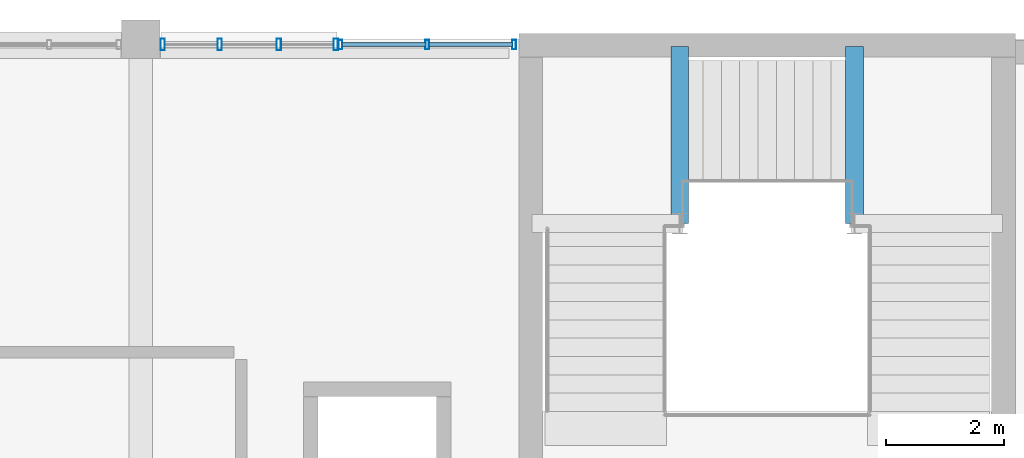
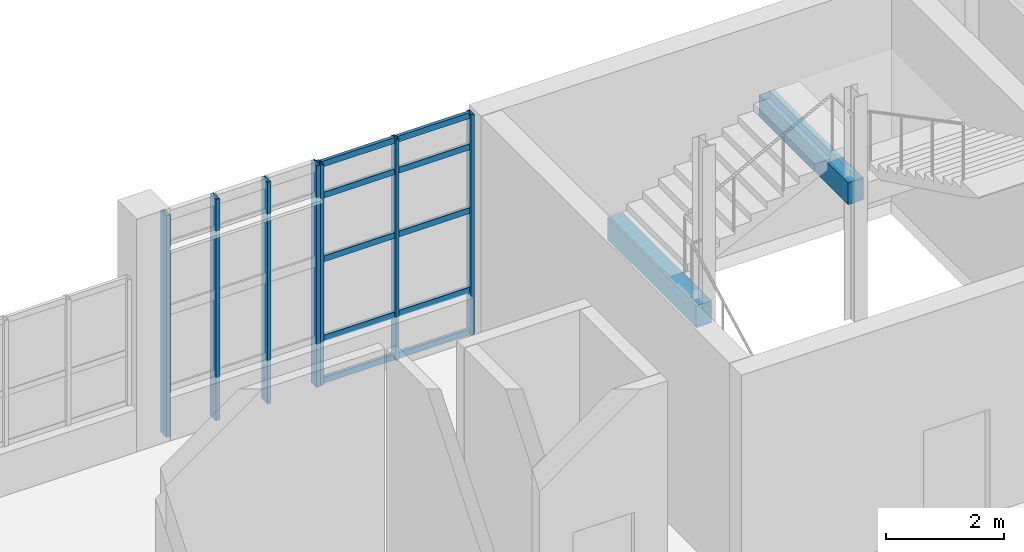
# One storey, part 50 of 102: 17 members, 2 beams, 2 elements without a shape of their own.
"""IFC4 building model written with IfcOpenShell, lengths in metres."""

from ifc_helpers import new_model, si_unit, derived_unit, direction, frame, origin, origin_2d, place, context, subcontext, project, spatial, rectangle, hollow_rectangle, extrude, material, layer, layer_set, material_profile, profile_set, type_object, element, aggregate, save


model = new_model("IFC4")

# Units and contexts
model_context = context("Model", 3, precision=1e-05, world=origin(), true_north=direction((0.0, 1.0)))
body_context = subcontext(model_context, "Body", "Model", "MODEL_VIEW")
ifc_project = project(units=[si_unit("LENGTHUNIT", "METRE"), si_unit("AREAUNIT", "SQUARE_METRE"), si_unit("VOLUMEUNIT", "CUBIC_METRE"), si_unit("PLANEANGLEUNIT", "RADIAN"), si_unit("MASSUNIT", "GRAM", prefix="KILO"), derived_unit("THERMALTRANSMITTANCEUNIT", [(si_unit("POWERUNIT", "WATT"), 1), (si_unit("LENGTHUNIT", "METRE"), -2), (si_unit("THERMODYNAMICTEMPERATUREUNIT", "KELVIN"), -1)])], contexts=[model_context])

# Site, building, storey
site_placement = place(None, origin())
site = spatial("IfcSite", under=ifc_project, at=site_placement, CompositionType="ELEMENT")
building_placement = place(site_placement, origin())
building = spatial("IfcBuilding", under=site, at=building_placement, Name="Nallur Shell Playhouse", CompositionType="ELEMENT")
storey_placement = place(building_placement, frame((0.0, 0.0, 15.0)))
storey = spatial("IfcBuildingStorey", under=building, at=storey_placement, Name="L04", CompositionType="ELEMENT", Elevation=15.0)

# Beams
ifc_material_1 = material(Name="Concrete M35", Category="concrete")
ifc_material_profile_1 = material_profile(ifc_material_1, rectangle(XDim=0.300048828125, YDim=0.449951171875, at=origin_2d()), Name="RC 300x450")
ifc_profile_set_1 = profile_set([ifc_material_profile_1], Name="Concrete M35")
beam_type = type_object("IfcBeamType", Name="BM-SPN-300x450", PredefinedType="SPANDREL", material=ifc_profile_set_1)
for number, where, z_axis, x_axis, name in (
    (1, (57.1201171875, 79.8798828125, 1.22509765625), (0.0, 1.0, 0.0), (-1.0, 0.0, 0.0), "Stair ST-03-L04 L1 east bearer beam"),
    (2, (60.080078125, 79.8798828125, 2.72509765625), (0.0, 1.0, 0.0), (-1.0, 0.0, 0.0), "Stair ST-03-L04 L2 west bearer beam"),
):
    element("IfcBeam", number, at=place(storey_placement, frame(where, z_axis=z_axis, x_axis=x_axis)), inside=storey, type_object=beam_type, Name=name, PredefinedType="SPANDREL", context=body_context, shape_type="SweptSolid", body=[
        extrude(rectangle(XDim=0.300048828125, YDim=0.449951171875, at=origin_2d()), origin(), (0.0, 0.0, 1.0), 3.0),
    ])

# Curtain wall, members
ifc_material_2 = material(Name="Anodised Aluminium Double-Glazed Facade System", Category="aluminium")
ifc_layer_1 = layer(ifc_material_2, 0.1640625)
ifc_layer_set_1 = layer_set([ifc_layer_1], Name="Anodised Aluminium Double-Glazed Facade System")
curtain_wall_type_1 = type_object("IfcCurtainWallType", Name="CW-UNIT-13", PredefinedType="NOTDEFINED", material=ifc_layer_set_1)
curtain_wall_1_placement = place(storey_placement, origin())
curtain_wall_1 = element("IfcCurtainWall", 3, at=curtain_wall_1_placement, inside=storey, type_object=curtain_wall_type_1, Name="Unitised curtain wall CW-109 (L04)", PredefinedType="NOTDEFINED")
ifc_material_3 = material(Name="Aluminium Alloy 6063-T6 Mullion", Category="aluminium")
ifc_material_profile_2 = material_profile(ifc_material_3, hollow_rectangle(XDim=0.06494140625, YDim=0.159912109375, WallThickness=0.00390625, at=origin_2d()), Name="ALU 65x160x4")
ifc_profile_set_2 = profile_set([ifc_material_profile_2], Name="Aluminium Alloy 6063-T6 Mullion")
member_type_1 = type_object("IfcMemberType", Name="MB-CW-MUL160", PredefinedType="MULLION", material=ifc_profile_set_2)
member_1_placement = place(storey_placement, frame((51.37890625, 82.909912109375, -0.014892578125), z_axis=(0.0, 0.0, 1.0), x_axis=(1.0, 0.0, 0.0)))
member_1 = element("IfcMember", 4, at=member_1_placement, type_object=member_type_1, Name="CW-13 mullion 1", PredefinedType="MULLION", context=body_context, shape_type="SweptSolid", body=[
    extrude(hollow_rectangle(XDim=0.06494140625, YDim=0.159912109375, WallThickness=0.00390625, at=origin_2d()), origin(), (0.0, 0.0, 1.0), 4.548828125),
])
member_2_placement = place(storey_placement, frame((52.84814453125, 82.909912109375, -0.014892578125), z_axis=(0.0, 0.0, 1.0), x_axis=(1.0, 0.0, 0.0)))
member_2 = element("IfcMember", 5, at=member_2_placement, type_object=member_type_1, Name="CW-13 mullion 2", PredefinedType="MULLION", context=body_context, shape_type="SweptSolid", body=[
    extrude(hollow_rectangle(XDim=0.06494140625, YDim=0.159912109375, WallThickness=0.00390625, at=origin_2d()), origin(), (0.0, 0.0, 1.0), 4.548828125),
])
member_3_placement = place(storey_placement, frame((54.3173828125, 82.909912109375, -0.014892578125), z_axis=(0.0, 0.0, 1.0), x_axis=(1.0, 0.0, 0.0)))
member_3 = element("IfcMember", 6, at=member_3_placement, type_object=member_type_1, Name="CW-13 mullion 3", PredefinedType="MULLION", context=body_context, shape_type="SweptSolid", body=[
    extrude(hollow_rectangle(XDim=0.06494140625, YDim=0.159912109375, WallThickness=0.00390625, at=origin_2d()), origin(), (0.0, 0.0, 1.0), 4.548828125),
])

ifc_layer_2 = layer(ifc_material_2, 0.159912109375)
ifc_layer_set_2 = layer_set([ifc_layer_2], Name="Anodised Aluminium Double-Glazed Facade System")
curtain_wall_type_2 = type_object("IfcCurtainWallType", Name="CW-UNIT-12", PredefinedType="NOTDEFINED", material=ifc_layer_set_2)
curtain_wall_2_placement = place(storey_placement, origin())
curtain_wall_2 = element("IfcCurtainWall", 7, at=curtain_wall_2_placement, inside=storey, type_object=curtain_wall_type_2, Name="Unitised curtain wall CW-108 (L04)", PredefinedType="NOTDEFINED")
ifc_material_profile_3 = material_profile(ifc_material_3, hollow_rectangle(XDim=0.074951171875, YDim=0.199951171875, WallThickness=0.0048828125, at=origin_2d()), Name="ALU 75x200x5")
ifc_profile_set_3 = profile_set([ifc_material_profile_3], Name="Aluminium Alloy 6063-T6 Mullion")
member_type_2 = type_object("IfcMemberType", Name="MB-CW-MUL180", PredefinedType="MULLION", material=ifc_profile_set_3)
member_4_placement = place(storey_placement, frame((48.37060546875, 82.909912109375, -0.014892578125), z_axis=(0.0, 0.0, 1.0), x_axis=(1.0, 0.0, 0.0)))
member_4 = element("IfcMember", 8, at=member_4_placement, type_object=member_type_2, Name="CW-12 mullion 1", PredefinedType="MULLION", context=body_context, shape_type="SweptSolid", body=[
    extrude(hollow_rectangle(XDim=0.074951171875, YDim=0.199951171875, WallThickness=0.0048828125, at=origin_2d()), origin(), (0.0, 0.0, 1.0), 4.56884765625),
])
member_5_placement = place(storey_placement, frame((49.334228515625, 82.909912109375, -0.014892578125), z_axis=(0.0, 0.0, 1.0), x_axis=(1.0, 0.0, 0.0)))
member_5 = element("IfcMember", 9, at=member_5_placement, type_object=member_type_2, Name="CW-12 mullion 2", PredefinedType="MULLION", context=body_context, shape_type="SweptSolid", body=[
    extrude(hollow_rectangle(XDim=0.074951171875, YDim=0.199951171875, WallThickness=0.0048828125, at=origin_2d()), origin(), (0.0, 0.0, 1.0), 4.56884765625),
])
member_6_placement = place(storey_placement, frame((50.33544921875, 82.909912109375, -0.014892578125), z_axis=(0.0, 0.0, 1.0), x_axis=(1.0, 0.0, 0.0)))
member_6 = element("IfcMember", 10, at=member_6_placement, type_object=member_type_2, Name="CW-12 mullion 3", PredefinedType="MULLION", context=body_context, shape_type="SweptSolid", body=[
    extrude(hollow_rectangle(XDim=0.074951171875, YDim=0.199951171875, WallThickness=0.0048828125, at=origin_2d()), origin(), (0.0, 0.0, 1.0), 4.56884765625),
])
member_7_placement = place(storey_placement, frame((51.299072265625, 82.909912109375, -0.014892578125), z_axis=(0.0, 0.0, 1.0), x_axis=(1.0, 0.0, 0.0)))
member_7 = element("IfcMember", 11, at=member_7_placement, type_object=member_type_2, Name="CW-12 mullion 4", PredefinedType="MULLION", context=body_context, shape_type="SweptSolid", body=[
    extrude(hollow_rectangle(XDim=0.074951171875, YDim=0.199951171875, WallThickness=0.0048828125, at=origin_2d()), origin(), (0.0, 0.0, 1.0), 4.56884765625),
])
aggregate(curtain_wall_2, [member_4, member_5, member_6, member_7])

# Member
ifc_material_4 = material(Name="Aluminium Alloy 6063-T6 Transom", Category="aluminium")
ifc_material_profile_4 = material_profile(ifc_material_4, hollow_rectangle(XDim=0.06494140625, YDim=0.1201171875, WallThickness=0.00390625, at=origin_2d()), Name="ALU 65x120x4")
ifc_profile_set_4 = profile_set([ifc_material_profile_4], Name="Aluminium Alloy 6063-T6 Transom")
member_type_3 = type_object("IfcMemberType", Name="MB-CW-TRN120", PredefinedType="USERDEFINED", material=ifc_profile_set_4)
member_8_placement = place(storey_placement, frame((51.403564453125, 82.909912109375, 0.032470703125), z_axis=(1.0, 0.0, 0.0), x_axis=(0.0, 1.0, 0.0)))
member_8 = element("IfcMember", 12, at=member_8_placement, type_object=member_type_3, Name="CW-13 transom 1.1", ObjectType="TRANSOM", PredefinedType="USERDEFINED", context=body_context, shape_type="SweptSolid", body=[
    extrude(hollow_rectangle(XDim=0.06494140625, YDim=0.1201171875, WallThickness=0.00390625, at=origin_2d()), origin(), (0.0, 0.0, 1.0), 1.420166015625),
])

member_9_placement = place(storey_placement, frame((51.403564453125, 82.909912109375, 0.89990234375), z_axis=(1.0, 0.0, 0.0), x_axis=(0.0, 1.0, 0.0)))
member_9 = element("IfcMember", 13, at=member_9_placement, type_object=member_type_3, Name="CW-13 transom 1.2", ObjectType="TRANSOM", PredefinedType="USERDEFINED", context=body_context, shape_type="SweptSolid", body=[
    extrude(hollow_rectangle(XDim=0.06494140625, YDim=0.1201171875, WallThickness=0.00390625, at=origin_2d()), origin(), (0.0, 0.0, 1.0), 1.420166015625),
])

member_10_placement = place(storey_placement, frame((51.403564453125, 82.909912109375, 2.537109375), z_axis=(1.0, 0.0, 0.0), x_axis=(0.0, 1.0, 0.0)))
member_10 = element("IfcMember", 14, at=member_10_placement, type_object=member_type_3, Name="CW-13 transom 1.3", ObjectType="TRANSOM", PredefinedType="USERDEFINED", context=body_context, shape_type="SweptSolid", body=[
    extrude(hollow_rectangle(XDim=0.06494140625, YDim=0.1201171875, WallThickness=0.00390625, at=origin_2d()), origin(), (0.0, 0.0, 1.0), 1.420166015625),
])

member_11_placement = place(storey_placement, frame((51.403564453125, 82.909912109375, 3.85009765625), z_axis=(1.0, 0.0, 0.0), x_axis=(0.0, 1.0, 0.0)))
member_11 = element("IfcMember", 15, at=member_11_placement, type_object=member_type_3, Name="CW-13 transom 1.4", ObjectType="TRANSOM", PredefinedType="USERDEFINED", context=body_context, shape_type="SweptSolid", body=[
    extrude(hollow_rectangle(XDim=0.06494140625, YDim=0.1201171875, WallThickness=0.00390625, at=origin_2d()), origin(), (0.0, 0.0, 1.0), 1.420166015625),
])

member_12_placement = place(storey_placement, frame((51.403564453125, 82.909912109375, 4.49755859375), z_axis=(1.0, 0.0, 0.0), x_axis=(0.0, 1.0, 0.0)))
member_12 = element("IfcMember", 16, at=member_12_placement, type_object=member_type_3, Name="CW-13 transom 1.5", ObjectType="TRANSOM", PredefinedType="USERDEFINED", context=body_context, shape_type="SweptSolid", body=[
    extrude(hollow_rectangle(XDim=0.06494140625, YDim=0.1201171875, WallThickness=0.00390625, at=origin_2d()), origin(), (0.0, 0.0, 1.0), 1.420166015625),
])

member_13_placement = place(storey_placement, frame((52.872802734375, 82.909912109375, 0.032470703125), z_axis=(1.0, 0.0, 0.0), x_axis=(0.0, 1.0, 0.0)))
member_13 = element("IfcMember", 17, at=member_13_placement, type_object=member_type_3, Name="CW-13 transom 2.1", ObjectType="TRANSOM", PredefinedType="USERDEFINED", context=body_context, shape_type="SweptSolid", body=[
    extrude(hollow_rectangle(XDim=0.06494140625, YDim=0.1201171875, WallThickness=0.00390625, at=origin_2d()), origin(), (0.0, 0.0, 1.0), 1.420166015625),
])

member_14_placement = place(storey_placement, frame((52.872802734375, 82.909912109375, 0.89990234375), z_axis=(1.0, 0.0, 0.0), x_axis=(0.0, 1.0, 0.0)))
member_14 = element("IfcMember", 18, at=member_14_placement, type_object=member_type_3, Name="CW-13 transom 2.2", ObjectType="TRANSOM", PredefinedType="USERDEFINED", context=body_context, shape_type="SweptSolid", body=[
    extrude(hollow_rectangle(XDim=0.06494140625, YDim=0.1201171875, WallThickness=0.00390625, at=origin_2d()), origin(), (0.0, 0.0, 1.0), 1.420166015625),
])

member_15_placement = place(storey_placement, frame((52.872802734375, 82.909912109375, 2.537109375), z_axis=(1.0, 0.0, 0.0), x_axis=(0.0, 1.0, 0.0)))
member_15 = element("IfcMember", 19, at=member_15_placement, type_object=member_type_3, Name="CW-13 transom 2.3", ObjectType="TRANSOM", PredefinedType="USERDEFINED", context=body_context, shape_type="SweptSolid", body=[
    extrude(hollow_rectangle(XDim=0.06494140625, YDim=0.1201171875, WallThickness=0.00390625, at=origin_2d()), origin(), (0.0, 0.0, 1.0), 1.420166015625),
])

member_16_placement = place(storey_placement, frame((52.872802734375, 82.909912109375, 3.85009765625), z_axis=(1.0, 0.0, 0.0), x_axis=(0.0, 1.0, 0.0)))
member_16 = element("IfcMember", 20, at=member_16_placement, type_object=member_type_3, Name="CW-13 transom 2.4", ObjectType="TRANSOM", PredefinedType="USERDEFINED", context=body_context, shape_type="SweptSolid", body=[
    extrude(hollow_rectangle(XDim=0.06494140625, YDim=0.1201171875, WallThickness=0.00390625, at=origin_2d()), origin(), (0.0, 0.0, 1.0), 1.420166015625),
])

member_17_placement = place(storey_placement, frame((52.872802734375, 82.909912109375, 4.49755859375), z_axis=(1.0, 0.0, 0.0), x_axis=(0.0, 1.0, 0.0)))
member_17 = element("IfcMember", 21, at=member_17_placement, type_object=member_type_3, Name="CW-13 transom 2.5", ObjectType="TRANSOM", PredefinedType="USERDEFINED", context=body_context, shape_type="SweptSolid", body=[
    extrude(hollow_rectangle(XDim=0.06494140625, YDim=0.1201171875, WallThickness=0.00390625, at=origin_2d()), origin(), (0.0, 0.0, 1.0), 1.420166015625),
])

aggregate(curtain_wall_1, [member_1, member_2, member_3, member_8, member_9, member_10, member_11, member_12, member_13, member_14, member_15, member_16, member_17])

save(model, "model.ifc")
